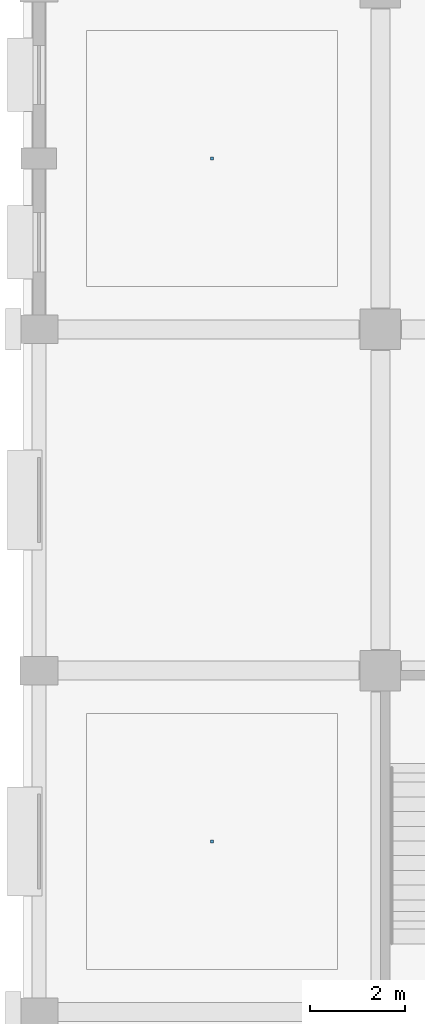
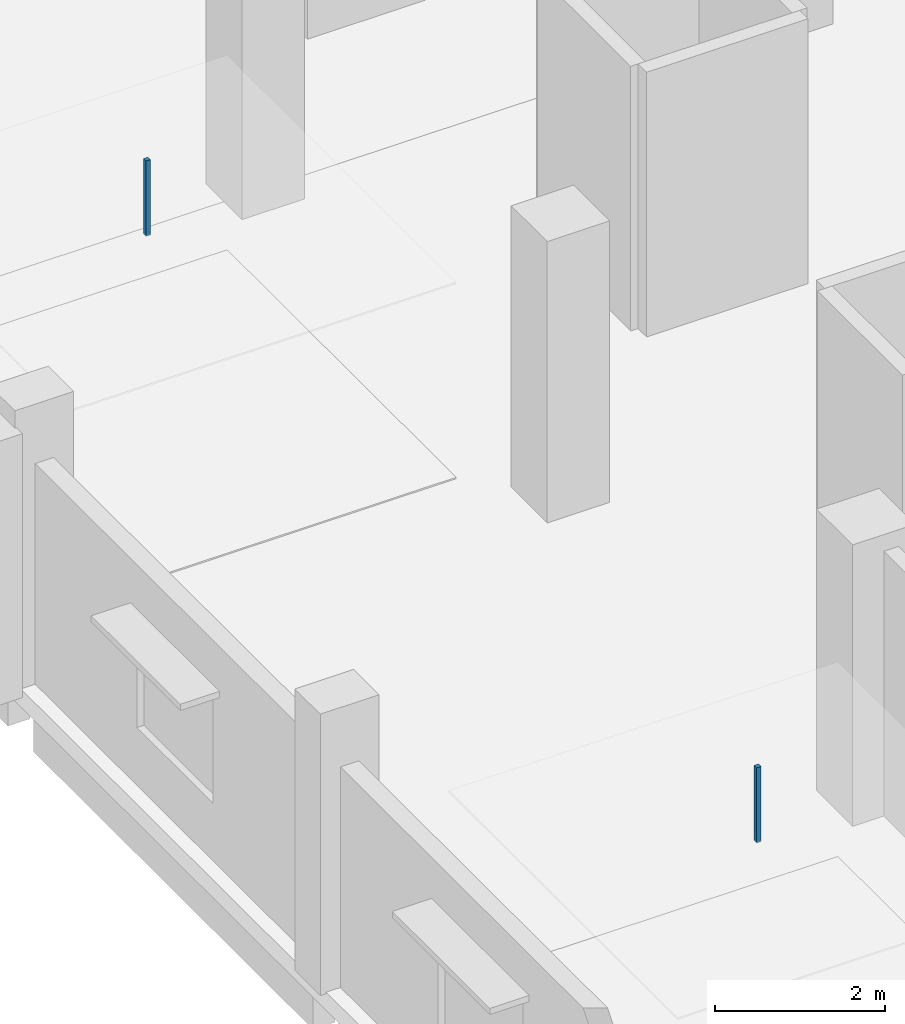
# One storey, part 88 of 107: 2 discrete accessories.
"""IFC4 building model written with IfcOpenShell, lengths in metres."""

from ifc_helpers import new_model, si_unit, direction, frame, origin, origin_2d, place, context, subcontext, project, spatial, rectangle, extrude, material, type_object, element, save


model = new_model("IFC4")

# Units and contexts
model_context = context("Model", 3, precision=1e-05, world=origin(), true_north=direction((0.0, 1.0)))
body_context = subcontext(model_context, "Body", "Model", "MODEL_VIEW")
ifc_project = project(units=[si_unit("LENGTHUNIT", "METRE"), si_unit("AREAUNIT", "SQUARE_METRE"), si_unit("VOLUMEUNIT", "CUBIC_METRE"), si_unit("PLANEANGLEUNIT", "RADIAN"), si_unit("MASSUNIT", "GRAM", prefix="KILO")], contexts=[model_context])

# Site, building, storey
site_placement = place(None, origin())
site = spatial("IfcSite", under=ifc_project, at=site_placement, CompositionType="ELEMENT")
building_placement = place(site_placement, origin())
building = spatial("IfcBuilding", under=site, at=building_placement, Name="Kangsadwip Square Police Headquarters", CompositionType="ELEMENT")
storey_placement = place(building_placement, frame((0.0, 0.0, 5.39990234375)))
storey = spatial("IfcBuildingStorey", under=building, at=storey_placement, Name="L01", CompositionType="ELEMENT", Elevation=5.39990234375)

# Discrete accessories
ifc_material = material(Name="Structural steel IS 2062 E350 (Grade 350, 350 MPa)", Category="steel")
discrete_accessory_type = type_object("IfcDiscreteAccessoryType", Name="VeilOutriggerBracket", PredefinedType="BRACKET", material=ifc_material)
for number, where, z_axis, x_axis, name in (
    (1, (3.64990234375, 46.800048828125, 2.81005859375), (0.0, 0.0, 1.0), (1.0, 0.0, 0.0), "Ceiling Suspension Hanger L01-048"),
    (2, (3.64990234375, 61.199951171875, 2.81005859375), (0.0, 0.0, 1.0), (1.0, 0.0, 0.0), "Ceiling Suspension Hanger L01-049"),
):
    element("IfcDiscreteAccessory", number, at=place(storey_placement, frame(where, z_axis=z_axis, x_axis=x_axis)), inside=storey, type_object=discrete_accessory_type, Name=name, PredefinedType="BRACKET", context=body_context, shape_type="SweptSolid", body=[
        extrude(rectangle(XDim=0.06005859375, YDim=0.06005859375, at=origin_2d()), origin(), (0.0, 0.0, 1.0), 1.080078125),
    ])

save(model, "model.ifc")
